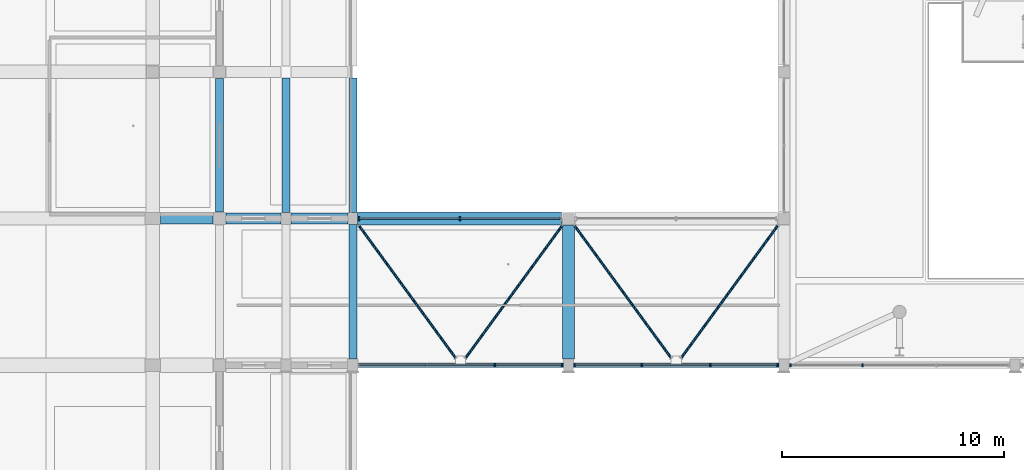
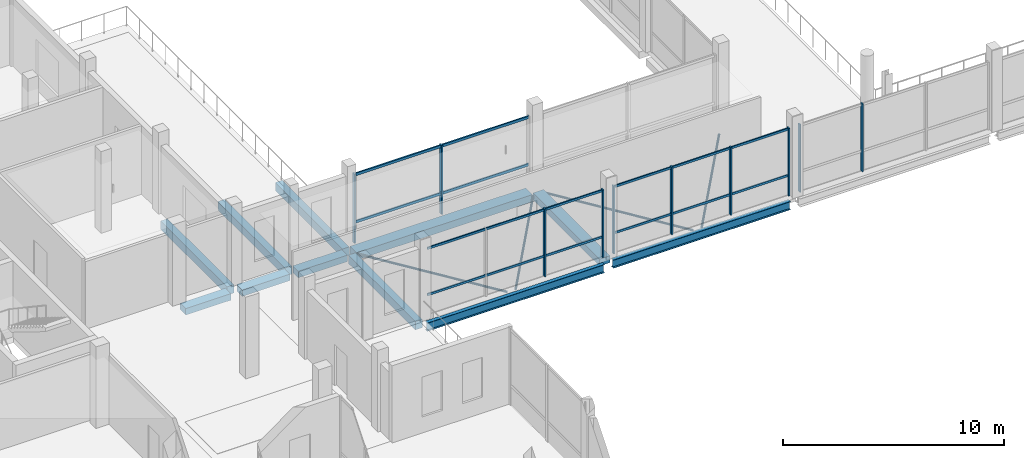
# One storey, part 24 of 95: 20 members, 11 beams, 4 elements without a shape of their own.
"""IFC4 building model written with IfcOpenShell, lengths in metres."""

from ifc_helpers import new_model, si_unit, derived_unit, direction, frame, origin, origin_2d, place, context, subcontext, project, spatial, rectangle, hollow_circle, i_section, extrude, material, material_profile, profile_set, type_object, element, aggregate, save


model = new_model("IFC4")

# Units and contexts
model_context = context("Model", 3, precision=1e-05, world=origin(), true_north=direction((0.0, 1.0)))
body_context = subcontext(model_context, "Body", "Model", "MODEL_VIEW")
ifc_project = project(units=[si_unit("LENGTHUNIT", "METRE"), si_unit("AREAUNIT", "SQUARE_METRE"), si_unit("VOLUMEUNIT", "CUBIC_METRE"), si_unit("PLANEANGLEUNIT", "RADIAN"), si_unit("MASSUNIT", "GRAM", prefix="KILO"), derived_unit("THERMALTRANSMITTANCEUNIT", [(si_unit("POWERUNIT", "WATT"), 1), (si_unit("LENGTHUNIT", "METRE"), -2), (si_unit("THERMODYNAMICTEMPERATUREUNIT", "KELVIN"), -1)])], contexts=[model_context])

# Site, building, storey
site_placement = place(None, origin())
site = spatial("IfcSite", under=ifc_project, at=site_placement, CompositionType="ELEMENT")
building_placement = place(site_placement, origin())
building = spatial("IfcBuilding", under=site, at=building_placement, Name="Braskholm Square Health Centre", CompositionType="ELEMENT")
storey_placement = place(building_placement, frame((0.0, 0.0, 4.800048828125)))
storey = spatial("IfcBuildingStorey", under=building, at=storey_placement, Name="L02", CompositionType="ELEMENT", Elevation=4.800048828125)

# Members
ifc_material_1 = material(Name="Steel ASTM A500 Grade C", Category="steel")
ifc_material_profile_1 = material_profile(ifc_material_1, hollow_circle(Radius=0.05712890625, WallThickness=0.005615234375, at=origin_2d()), Name="HSS4.500X0.237")
ifc_profile_set_1 = profile_set([ifc_material_profile_1], Name="Steel ASTM A500 Grade C")
member_type_1 = type_object("IfcMemberType", Name="CanopyBraceCHS114", PredefinedType="BRACE", material=ifc_profile_set_1)
for number, where, z_axis, x_axis, name in (
    (1, (28.47998046875, 93.47998046875, -0.449951171875), (0.589551927486, -0.807730477819, 0.0), (0.807730477819, 0.589551927486, 0.0), "Concourse arcade chevron brace 01A"),
    (2, (37.6201171875, 93.47998046875, -0.449951171875), (-0.589551927486, -0.807730477819, 0.0), (0.807730477819, -0.589551927486, 0.0), "Concourse arcade chevron brace 01B"),
    (3, (38.179931640625, 93.47998046875, -0.449951171875), (0.589551927486, -0.807730477819, 0.0), (0.807730477819, 0.589551927486, 0.0), "Concourse arcade chevron brace 02A"),
    (4, (47.320068359375, 93.47998046875, -0.449951171875), (-0.589551927486, -0.807730477819, 0.0), (0.807730477819, -0.589551927486, 0.0), "Concourse arcade chevron brace 02B"),
):
    element("IfcMember", number, at=place(storey_placement, frame(where, z_axis=z_axis, x_axis=x_axis)), inside=storey, type_object=member_type_1, Name=name, PredefinedType="BRACE", context=body_context, shape_type="SweptSolid", body=[
        extrude(hollow_circle(Radius=0.05712890625, WallThickness=0.005615234375, at=origin_2d()), origin(), (0.0, 0.0, 1.0), 7.378662109375),
    ])

# Curtain wall, members
ifc_material_2 = material(Name="Low-E triple insulating glass (VLT 0.64)", Category="glass")
curtain_wall_type = type_object("IfcCurtainWallType", Name="UnitisedCurtainWall6200x3800", PredefinedType="NOTDEFINED", material=ifc_material_2)
curtain_wall_1_placement = place(storey_placement, origin())
curtain_wall_1 = element("IfcCurtainWall", 5, at=curtain_wall_1_placement, inside=storey, type_object=curtain_wall_type, Name="Hall Gallery L02 unitised curtain wall CW-L02-0172", PredefinedType="NOTDEFINED")
ifc_material_3 = material(Name="Architectural bronze anodised aluminium", Category="aluminium")
ifc_material_profile_2 = material_profile(ifc_material_3, rectangle(XDim=0.06494140625, YDim=0.14990234375, at=origin_2d()), Name="ALU-65X150")
ifc_profile_set_2 = profile_set([ifc_material_profile_2], Name="Architectural bronze anodised aluminium")
member_type_2 = type_object("IfcMemberType", Name="CurtainWallMullion65x150", PredefinedType="MULLION", material=ifc_profile_set_2)
member_1_placement = place(storey_placement, frame((34.58935546875, 87.199951171875, 0.0), z_axis=(0.0, 0.0, 1.0), x_axis=(1.0, 0.0, 0.0)))
member_1 = element("IfcMember", 6, at=member_1_placement, type_object=member_type_2, Name="CW-L02-0172 vertical mullion 3", PredefinedType="MULLION", context=body_context, shape_type="SweptSolid", body=[
    extrude(rectangle(XDim=0.06494140625, YDim=0.14990234375, at=origin_2d()), origin(), (0.0, 0.0, 1.0), 3.739990234375),
])
member_2_placement = place(storey_placement, frame((37.612548828125, 87.199951171875, 0.0), z_axis=(0.0, 0.0, 1.0), x_axis=(1.0, 0.0, 0.0)))
member_2 = element("IfcMember", 7, at=member_2_placement, type_object=member_type_2, Name="CW-L02-0172 vertical mullion 4", PredefinedType="MULLION", context=body_context, shape_type="SweptSolid", body=[
    extrude(rectangle(XDim=0.06494140625, YDim=0.14990234375, at=origin_2d()), origin(), (0.0, 0.0, 1.0), 3.739990234375),
])

curtain_wall_2_placement = place(storey_placement, origin())
curtain_wall_2 = element("IfcCurtainWall", 8, at=curtain_wall_2_placement, inside=storey, type_object=curtain_wall_type, Name="Hall Gallery L02 unitised curtain wall CW-L02-0178", PredefinedType="NOTDEFINED")
member_3_placement = place(storey_placement, frame((38.1875, 87.199951171875, 0.0), z_axis=(0.0, 0.0, 1.0), x_axis=(1.0, 0.0, 0.0)))
member_3 = element("IfcMember", 9, at=member_3_placement, type_object=member_type_2, Name="CW-L02-0178 vertical mullion 1", PredefinedType="MULLION", context=body_context, shape_type="SweptSolid", body=[
    extrude(rectangle(XDim=0.06494140625, YDim=0.14990234375, at=origin_2d()), origin(), (0.0, 0.0, 1.0), 3.739990234375),
])
member_4_placement = place(storey_placement, frame((41.210693359375, 87.199951171875, 0.0), z_axis=(0.0, 0.0, 1.0), x_axis=(1.0, 0.0, 0.0)))
member_4 = element("IfcMember", 10, at=member_4_placement, type_object=member_type_2, Name="CW-L02-0178 vertical mullion 2", PredefinedType="MULLION", context=body_context, shape_type="SweptSolid", body=[
    extrude(rectangle(XDim=0.06494140625, YDim=0.14990234375, at=origin_2d()), origin(), (0.0, 0.0, 1.0), 3.739990234375),
])
member_5_placement = place(storey_placement, frame((44.289306640625, 87.199951171875, 0.0), z_axis=(0.0, 0.0, 1.0), x_axis=(1.0, 0.0, 0.0)))
member_5 = element("IfcMember", 11, at=member_5_placement, type_object=member_type_2, Name="CW-L02-0178 vertical mullion 3", PredefinedType="MULLION", context=body_context, shape_type="SweptSolid", body=[
    extrude(rectangle(XDim=0.06494140625, YDim=0.14990234375, at=origin_2d()), origin(), (0.0, 0.0, 1.0), 3.739990234375),
])
member_6_placement = place(storey_placement, frame((47.3125, 87.199951171875, 0.0), z_axis=(0.0, 0.0, 1.0), x_axis=(1.0, 0.0, 0.0)))
member_6 = element("IfcMember", 12, at=member_6_placement, type_object=member_type_2, Name="CW-L02-0178 vertical mullion 4", PredefinedType="MULLION", context=body_context, shape_type="SweptSolid", body=[
    extrude(rectangle(XDim=0.06494140625, YDim=0.14990234375, at=origin_2d()), origin(), (0.0, 0.0, 1.0), 3.739990234375),
])

curtain_wall_3_placement = place(storey_placement, origin())
curtain_wall_3 = element("IfcCurtainWall", 13, at=curtain_wall_3_placement, inside=storey, type_object=curtain_wall_type, Name="Hall Gallery L02 unitised curtain wall CW-L02-0184", PredefinedType="NOTDEFINED")
member_7_placement = place(storey_placement, frame((47.8916015625, 87.199951171875, 0.0), z_axis=(0.0, 0.0, 1.0), x_axis=(1.0, 0.0, 0.0)))
member_7 = element("IfcMember", 14, at=member_7_placement, type_object=member_type_2, Name="CW-L02-0184 vertical mullion 1", PredefinedType="MULLION", context=body_context, shape_type="SweptSolid", body=[
    extrude(rectangle(XDim=0.06494140625, YDim=0.14990234375, at=origin_2d()), origin(), (0.0, 0.0, 1.0), 3.737060546875),
])
member_8_placement = place(storey_placement, frame((51.14404296875, 87.199951171875, 0.0), z_axis=(0.0, 0.0, 1.0), x_axis=(1.0, 0.0, 0.0)))
member_8 = element("IfcMember", 15, at=member_8_placement, type_object=member_type_2, Name="CW-L02-0184 vertical mullion 2", PredefinedType="MULLION", context=body_context, shape_type="SweptSolid", body=[
    extrude(rectangle(XDim=0.06494140625, YDim=0.14990234375, at=origin_2d()), origin(), (0.0, 0.0, 1.0), 3.737060546875),
])
aggregate(curtain_wall_3, [member_7, member_8])

curtain_wall_4_placement = place(storey_placement, origin())
curtain_wall_4 = element("IfcCurtainWall", 16, at=curtain_wall_4_placement, inside=storey, type_object=curtain_wall_type, Name="Portal North L02 unitised curtain wall CW-L02-0175", PredefinedType="NOTDEFINED")
ifc_material_profile_3 = material_profile(ifc_material_3, rectangle(XDim=0.074951171875, YDim=0.179931640625, at=origin_2d()), Name="ALU-75X180")
ifc_profile_set_3 = profile_set([ifc_material_profile_3], Name="Architectural bronze anodised aluminium")
member_type_3 = type_object("IfcMemberType", Name="CurtainWallMullion75x180", PredefinedType="MULLION", material=ifc_profile_set_3)
member_9_placement = place(storey_placement, frame((33.0224609375, 93.800048828125, 0.0), z_axis=(0.0, 0.0, 1.0), x_axis=(1.0, 0.0, 0.0)))
member_9 = element("IfcMember", 17, at=member_9_placement, type_object=member_type_3, Name="CW-L02-0175 vertical mullion 2", PredefinedType="MULLION", context=body_context, shape_type="SweptSolid", body=[
    extrude(rectangle(XDim=0.074951171875, YDim=0.179931640625, at=origin_2d()), origin(), (0.0, 0.0, 1.0), 3.800048828125),
])
member_10_placement = place(storey_placement, frame((28.477294921875, 93.800048828125, 0.0), z_axis=(0.0, 0.0, 1.0), x_axis=(1.0, 0.0, 0.0)))
member_10 = element("IfcMember", 18, at=member_10_placement, type_object=member_type_3, Name="CW-L02-0175 vertical mullion 3", PredefinedType="MULLION", context=body_context, shape_type="SweptSolid", body=[
    extrude(rectangle(XDim=0.074951171875, YDim=0.179931640625, at=origin_2d()), origin(), (0.0, 0.0, 1.0), 3.800048828125),
])

# Member
ifc_material_profile_4 = material_profile(ifc_material_3, rectangle(XDim=0.06494140625, YDim=0.1201171875, at=origin_2d()), Name="ALU-65X120")
ifc_profile_set_4 = profile_set([ifc_material_profile_4], Name="Architectural bronze anodised aluminium")
member_type_4 = type_object("IfcMemberType", Name="CurtainWallTransom65x120", PredefinedType="USERDEFINED", material=ifc_profile_set_4)
member_11_placement = place(storey_placement, frame((28.47705078125, 87.199951171875, 1.119873046875), z_axis=(1.0, 0.0, 0.0), x_axis=(0.0, 1.0, 0.0)))
member_11 = element("IfcMember", 19, at=member_11_placement, type_object=member_type_4, Name="CW-L02-0172 horizontal transom 1", ObjectType="TRANSOM", PredefinedType="USERDEFINED", context=body_context, shape_type="SweptSolid", body=[
    extrude(rectangle(XDim=0.06494140625, YDim=0.1201171875, at=origin_2d()), origin(), (0.0, 0.0, 1.0), 9.14599609375),
])

member_12_placement = place(storey_placement, frame((28.47705078125, 87.199951171875, 3.669921875), z_axis=(1.0, 0.0, 0.0), x_axis=(0.0, 1.0, 0.0)))
member_12 = element("IfcMember", 20, at=member_12_placement, type_object=member_type_4, Name="CW-L02-0172 horizontal transom 2", ObjectType="TRANSOM", PredefinedType="USERDEFINED", context=body_context, shape_type="SweptSolid", body=[
    extrude(rectangle(XDim=0.06494140625, YDim=0.1201171875, at=origin_2d()), origin(), (0.0, 0.0, 1.0), 9.14599609375),
])

aggregate(curtain_wall_1, [member_1, member_2, member_11, member_12])

member_13_placement = place(storey_placement, frame((38.177001953125, 87.199951171875, 1.119873046875), z_axis=(1.0, 0.0, 0.0), x_axis=(0.0, 1.0, 0.0)))
member_13 = element("IfcMember", 21, at=member_13_placement, type_object=member_type_4, Name="CW-L02-0178 horizontal transom 1", ObjectType="TRANSOM", PredefinedType="USERDEFINED", context=body_context, shape_type="SweptSolid", body=[
    extrude(rectangle(XDim=0.06494140625, YDim=0.1201171875, at=origin_2d()), origin(), (0.0, 0.0, 1.0), 9.14599609375),
])

member_14_placement = place(storey_placement, frame((38.177001953125, 87.199951171875, 3.669921875), z_axis=(1.0, 0.0, 0.0), x_axis=(0.0, 1.0, 0.0)))
member_14 = element("IfcMember", 22, at=member_14_placement, type_object=member_type_4, Name="CW-L02-0178 horizontal transom 2", ObjectType="TRANSOM", PredefinedType="USERDEFINED", context=body_context, shape_type="SweptSolid", body=[
    extrude(rectangle(XDim=0.06494140625, YDim=0.1201171875, at=origin_2d()), origin(), (0.0, 0.0, 1.0), 9.14599609375),
])

aggregate(curtain_wall_2, [member_3, member_4, member_5, member_6, member_13, member_14])

ifc_material_profile_5 = material_profile(ifc_material_3, rectangle(XDim=0.074951171875, YDim=0.139892578125, at=origin_2d()), Name="ALU-75X140")
ifc_profile_set_5 = profile_set([ifc_material_profile_5], Name="Architectural bronze anodised aluminium")
member_type_5 = type_object("IfcMemberType", Name="CurtainWallTransom75x140", PredefinedType="USERDEFINED", material=ifc_profile_set_5)
member_15_placement = place(storey_placement, frame((37.577880859375, 93.800048828125, 1.119873046875), z_axis=(-1.0, 0.0, 0.0), x_axis=(0.0, -1.0, 0.0)))
member_15 = element("IfcMember", 23, at=member_15_placement, type_object=member_type_5, Name="CW-L02-0175 horizontal transom 1", ObjectType="TRANSOM", PredefinedType="USERDEFINED", context=body_context, shape_type="SweptSolid", body=[
    extrude(rectangle(XDim=0.074951171875, YDim=0.139892578125, at=origin_2d()), origin(), (0.0, 0.0, 1.0), 9.11083984375),
])

member_16_placement = place(storey_placement, frame((37.577880859375, 93.800048828125, 3.72998046875), z_axis=(-1.0, 0.0, 0.0), x_axis=(0.0, -1.0, 0.0)))
member_16 = element("IfcMember", 24, at=member_16_placement, type_object=member_type_5, Name="CW-L02-0175 horizontal transom 2", ObjectType="TRANSOM", PredefinedType="USERDEFINED", context=body_context, shape_type="SweptSolid", body=[
    extrude(rectangle(XDim=0.074951171875, YDim=0.139892578125, at=origin_2d()), origin(), (0.0, 0.0, 1.0), 9.11083984375),
])

aggregate(curtain_wall_4, [member_9, member_10, member_15, member_16])

# Beams
ifc_material_4 = material(Name="Concrete C35/45 (f'c = 35 MPa)", Category="concrete")
ifc_material_profile_6 = material_profile(ifc_material_4, rectangle(XDim=0.5, YDim=0.360107421875, at=origin_2d()), Name="RCB-500X360")
ifc_profile_set_6 = profile_set([ifc_material_profile_6], Name="Concrete C35/45 (f'c = 35 MPa)")
beam_type_1 = type_object("IfcBeamType", Name="PrimaryBandBeam500x360", PredefinedType="BEAM", material=ifc_profile_set_6)
beam_1_placement = place(storey_placement, frame((19.550048828125, 93.800048828125, -0.56005859375), z_axis=(1.0, 0.0, 0.0), x_axis=(0.0, 1.0, 0.0)))
element("IfcBeam", 25, at=beam_1_placement, inside=storey, type_object=beam_type_1, Name="Beam 3-4/P L02", PredefinedType="BEAM", context=body_context, shape_type="SweptSolid", body=[
    extrude(rectangle(XDim=0.5, YDim=0.360107421875, at=origin_2d()), origin(), (0.0, 0.0, 1.0), 2.349853515625),
])
beam_2_placement = place(storey_placement, frame((22.5, 93.800048828125, -0.56005859375), z_axis=(1.0, 0.0, 0.0), x_axis=(0.0, 1.0, 0.0)))
element("IfcBeam", 26, at=beam_2_placement, inside=storey, type_object=beam_type_1, Name="Beam 4-5/P L02", PredefinedType="BEAM", context=body_context, shape_type="SweptSolid", body=[
    extrude(rectangle(XDim=0.5, YDim=0.360107421875, at=origin_2d()), origin(), (0.0, 0.0, 1.0), 2.47998046875),
])
beam_3_placement = place(storey_placement, frame((25.419921875, 93.800048828125, -0.56005859375), z_axis=(1.0, 0.0, 0.0), x_axis=(0.0, 1.0, 0.0)))
element("IfcBeam", 27, at=beam_3_placement, inside=storey, type_object=beam_type_1, Name="Beam 5-6/P L02", PredefinedType="BEAM", context=body_context, shape_type="SweptSolid", body=[
    extrude(rectangle(XDim=0.5, YDim=0.360107421875, at=origin_2d()), origin(), (0.0, 0.0, 1.0), 2.56005859375),
])
ifc_material_profile_7 = material_profile(ifc_material_4, rectangle(XDim=0.550048828125, YDim=0.3798828125, at=origin_2d()), Name="RCB-550X380")
ifc_profile_set_7 = profile_set([ifc_material_profile_7], Name="Concrete C35/45 (f'c = 35 MPa)")
beam_type_2 = type_object("IfcBeamType", Name="PrimaryBandBeam550x380", PredefinedType="BEAM", material=ifc_profile_set_7)
beam_4_placement = place(storey_placement, frame((37.89990234375, 87.47998046875, -0.489990234375), z_axis=(0.0, 1.0, 0.0), x_axis=(-1.0, 0.0, 0.0)))
element("IfcBeam", 28, at=beam_4_placement, inside=storey, type_object=beam_type_2, Name="Beam 7/N-P L02", PredefinedType="BEAM", context=body_context, shape_type="SweptSolid", body=[
    extrude(rectangle(XDim=0.550048828125, YDim=0.3798828125, at=origin_2d()), origin(), (0.0, 0.0, 1.0), 6.02001953125),
])
ifc_material_profile_8 = material_profile(ifc_material_4, rectangle(XDim=0.60009765625, YDim=0.39990234375, at=origin_2d()), Name="RCB-600X400")
ifc_profile_set_8 = profile_set([ifc_material_profile_8], Name="Concrete C35/45 (f'c = 35 MPa)")
beam_type_3 = type_object("IfcBeamType", Name="PrimaryBandBeam600x400", PredefinedType="BEAM", material=ifc_profile_set_8)
beam_5_placement = place(storey_placement, frame((28.419921875, 93.800048828125, -0.580078125), z_axis=(1.0, 0.0, 0.0), x_axis=(0.0, 1.0, 0.0)))
element("IfcBeam", 29, at=beam_5_placement, inside=storey, type_object=beam_type_3, Name="Beam 6-7/P L02", PredefinedType="BEAM", context=body_context, shape_type="SweptSolid", body=[
    extrude(rectangle(XDim=0.60009765625, YDim=0.39990234375, at=origin_2d()), origin(), (0.0, 0.0, 1.0), 9.18017578125),
])
ifc_material_5 = material(Name="Precast concrete C40/50 architectural white", Category="concrete")
ifc_material_profile_9 = material_profile(ifc_material_5, rectangle(XDim=0.360107421875, YDim=0.4599609375, at=origin_2d()), Name="RCB-360X460")
ifc_profile_set_9 = profile_set([ifc_material_profile_9], Name="Precast concrete C40/50 architectural white")
beam_type_4 = type_object("IfcBeamType", Name="SpandrelTerraceEdge360x460", PredefinedType="SPANDREL", material=ifc_profile_set_9)
beam_6_placement = place(storey_placement, frame((22.199951171875, 94.10009765625, -0.610107421875), z_axis=(0.0, 1.0, 0.0), x_axis=(-1.0, 0.0, 0.0)))
element("IfcBeam", 30, at=beam_6_placement, inside=storey, type_object=beam_type_4, Name="Beam 4/P-Q L02", PredefinedType="SPANDREL", context=body_context, shape_type="SweptSolid", body=[
    extrude(rectangle(XDim=0.360107421875, YDim=0.4599609375, at=origin_2d()), origin(), (0.0, 0.0, 1.0), 6.0),
])
beam_7_placement = place(storey_placement, frame((25.199951171875, 94.070068359375, -0.610107421875), z_axis=(0.0, 1.0, 0.0), x_axis=(-1.0, 0.0, 0.0)))
element("IfcBeam", 31, at=beam_7_placement, inside=storey, type_object=beam_type_4, Name="Beam 5/P-Q L02", PredefinedType="SPANDREL", context=body_context, shape_type="SweptSolid", body=[
    extrude(rectangle(XDim=0.360107421875, YDim=0.4599609375, at=origin_2d()), origin(), (0.0, 0.0, 1.0), 6.059814453125),
])
beam_8_placement = place(storey_placement, frame((28.199951171875, 87.47998046875, -0.610107421875), z_axis=(0.0, 1.0, 0.0), x_axis=(-1.0, 0.0, 0.0)))
element("IfcBeam", 32, at=beam_8_placement, inside=storey, type_object=beam_type_4, Name="Beam 6/N-P L02", PredefinedType="SPANDREL", context=body_context, shape_type="SweptSolid", body=[
    extrude(rectangle(XDim=0.360107421875, YDim=0.4599609375, at=origin_2d()), origin(), (0.0, 0.0, 1.0), 6.050048828125),
])
beam_9_placement = place(storey_placement, frame((28.199951171875, 94.070068359375, -0.610107421875), z_axis=(0.0, 1.0, 0.0), x_axis=(-1.0, 0.0, 0.0)))
element("IfcBeam", 33, at=beam_9_placement, inside=storey, type_object=beam_type_4, Name="Beam 6/P-Q L02", PredefinedType="SPANDREL", context=body_context, shape_type="SweptSolid", body=[
    extrude(rectangle(XDim=0.360107421875, YDim=0.4599609375, at=origin_2d()), origin(), (0.0, 0.0, 1.0), 6.059814453125),
])
ifc_material_6 = material(Name="Steel ASTM A992 Grade 50", Category="steel")
ifc_material_profile_10 = material_profile(ifc_material_6, i_section(OverallWidth=0.19091796875, OverallDepth=0.4599609375, WebThickness=0.010009765625, FlangeThickness=0.01611328125, at=origin_2d()), Name="W18X55")
ifc_profile_set_10 = profile_set([ifc_material_profile_10], Name="Steel ASTM A992 Grade 50")
beam_type_5 = type_object("IfcBeamType", Name="SteelGirderLinkW18X55", PredefinedType="BEAM", material=ifc_profile_set_10)
beam_10_placement = place(storey_placement, frame((28.429931640625, 87.199951171875, -0.610107421875), z_axis=(1.0, 0.0, 0.0), x_axis=(0.0, 1.0, 0.0)))
element("IfcBeam", 34, at=beam_10_placement, inside=storey, type_object=beam_type_5, Name="Beam 6-7/N L02", PredefinedType="BEAM", context=body_context, shape_type="SweptSolid", body=[
    extrude(i_section(OverallWidth=0.19091796875, OverallDepth=0.4599609375, WebThickness=0.010009765625, FlangeThickness=0.01611328125, at=origin_2d()), origin(), (0.0, 0.0, 1.0), 9.239990234375),
])
beam_11_placement = place(storey_placement, frame((38.1298828125, 87.199951171875, -0.530029296875), z_axis=(1.0, 0.0, 0.0), x_axis=(0.0, 1.0, 0.0)))
element("IfcBeam", 35, at=beam_11_placement, inside=storey, type_object=beam_type_5, Name="Beam 7-8/N L02", PredefinedType="BEAM", context=body_context, shape_type="SweptSolid", body=[
    extrude(i_section(OverallWidth=0.19091796875, OverallDepth=0.4599609375, WebThickness=0.010009765625, FlangeThickness=0.01611328125, at=origin_2d()), origin(), (0.0, 0.0, 1.0), 9.240234375),
])

save(model, "model.ifc")
